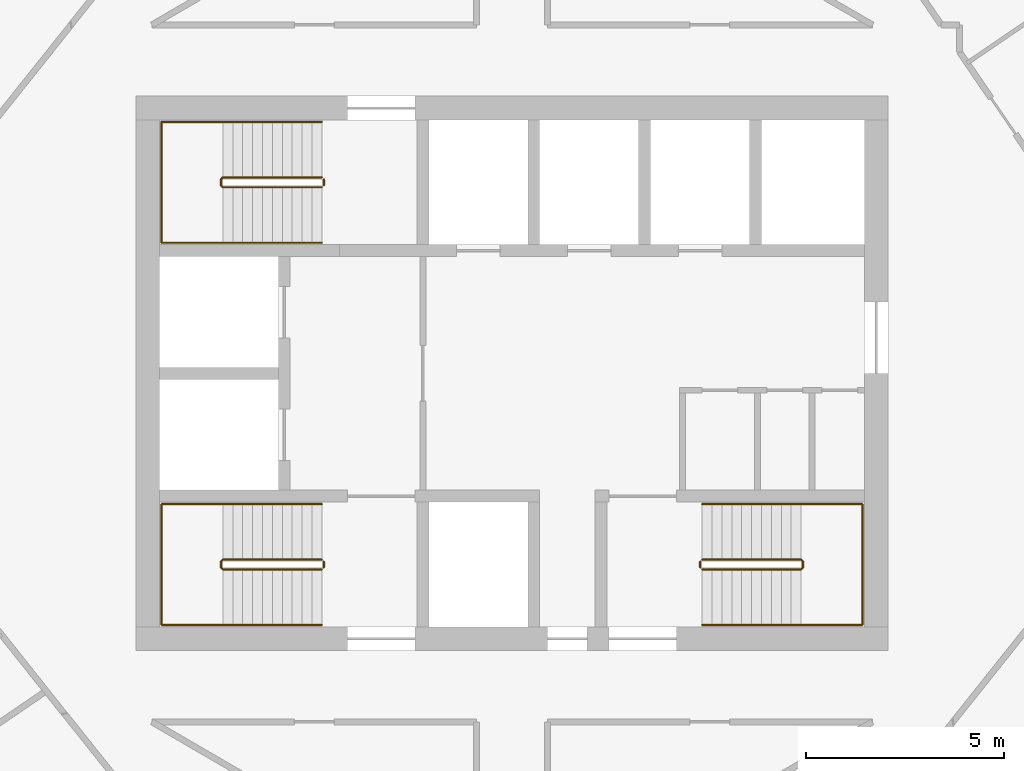
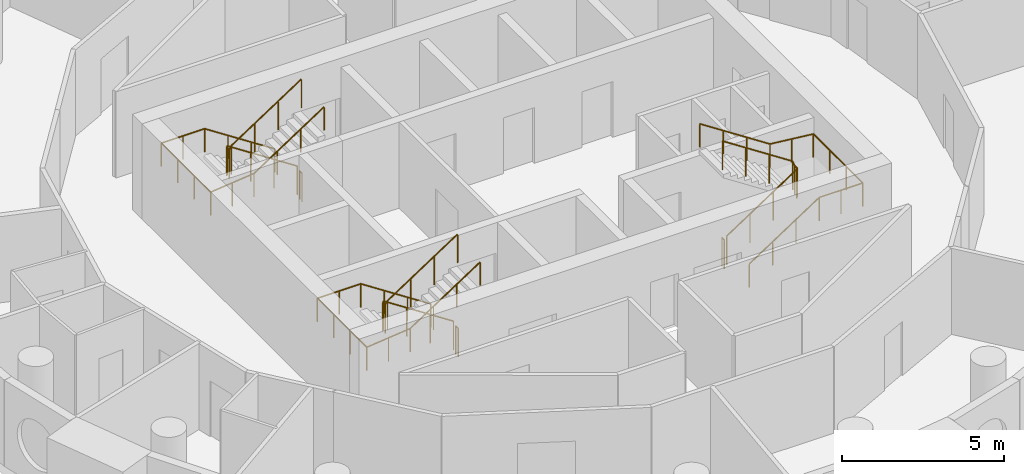
# One storey, part 11 of 11: 9 railings.
"""IFC4 building model written with IfcOpenShell, lengths in metres."""

from ifc_helpers import new_model, si_unit, direction, frame, origin, origin_2d, place, context, subcontext, project, spatial, circle, extrude, material, type_object, element, save


model = new_model("IFC4")

# Units and contexts
model_context = context("Model", 3, precision=1e-05, world=origin(), true_north=direction((0.0, 1.0)))
body_context = subcontext(model_context, "Body", "Model", "MODEL_VIEW")
ifc_project = project(units=[si_unit("LENGTHUNIT", "METRE"), si_unit("AREAUNIT", "SQUARE_METRE"), si_unit("VOLUMEUNIT", "CUBIC_METRE"), si_unit("PLANEANGLEUNIT", "RADIAN"), si_unit("MASSUNIT", "GRAM", prefix="KILO")], contexts=[model_context])

# Site, building, storey
site_placement = place(None, origin())
site = spatial("IfcSite", under=ifc_project, at=site_placement, CompositionType="ELEMENT")
building_placement = place(site_placement, origin())
building = spatial("IfcBuilding", under=site, at=building_placement, Name="Tracery Tower", CompositionType="ELEMENT")
storey_placement = place(building_placement, frame((0.0, 0.0, 238.199951171875)))
storey = spatial("IfcBuildingStorey", under=building, at=storey_placement, Name="L61", CompositionType="ELEMENT", Elevation=238.199951171875)

# Railings
ifc_material_1 = material(Name="Stainless steel and laminated glass", Category="steel")
railing_type_1 = type_object("IfcRailingType", Name="Stair guard 1100", PredefinedType="GUARDRAIL", material=ifc_material_1)
railing_1_placement = place(storey_placement, frame((-4.800048828125, -4.699951171875, 0.16357421875)))
element("IfcRailing", 1, at=railing_1_placement, inside=storey, type_object=railing_type_1, Name="L61 stair ST1 guard 1", PredefinedType="GUARDRAIL", context=body_context, shape_type="SweptSolid", body=[
    extrude(circle(Radius=0.02392578125, at=origin_2d()), frame((0.0, 0.0, 1.076171875), z_axis=(-0.83668449804, 0.0, 0.54768517484), x_axis=(0.0, -1.0, 0.0)), (0.0, 0.0, 1.0), 2.988037109375),
    extrude(circle(Radius=0.02392578125, at=origin_2d()), frame((-2.5, 0.0, 2.71240234375), z_axis=(-0.707106781187, -0.707106781187, 0.0), x_axis=(0.707106781187, -0.707106781187, 0.0)), (0.0, 0.0, 1.0), 0.07080078125),
    extrude(circle(Radius=0.02392578125, at=origin_2d()), frame((-2.550048828125, -0.050048828125, 2.71240234375), z_axis=(0.0, -1.0, 0.0), x_axis=(1.0, 0.0, 0.0)), (0.0, 0.0, 1.0), 0.14990234375),
    extrude(circle(Radius=0.02392578125, at=origin_2d()), frame((-2.550048828125, -0.199951171875, 2.71240234375), z_axis=(0.280808744504, -0.280808744504, 0.917765164963), x_axis=(0.707106781187, 0.707106781187, 0.0)), (0.0, 0.0, 1.0), 0.17822265625),
    extrude(circle(Radius=0.02392578125, at=origin_2d()), frame((-2.5, -0.25, 2.8759765625), z_axis=(0.83668449804, 0.0, 0.54768517484), x_axis=(0.0, 1.0, 0.0)), (0.0, 0.0, 1.0), 2.988037109375),
    extrude(circle(Radius=0.02099609375, at=origin_2d()), origin(), (0.0, 0.0, 1.0), 1.052001953125),
    extrude(circle(Radius=0.02099609375, at=origin_2d()), frame((-0.833251953125, 0.0, 0.54541015625)), (0.0, 0.0, 1.0), 1.052001953125),
    extrude(circle(Radius=0.02099609375, at=origin_2d()), frame((-1.666748046875, 0.0, 1.091064453125)), (0.0, 0.0, 1.0), 1.052001953125),
    extrude(circle(Radius=0.02099609375, at=origin_2d()), frame((-2.5, 0.0, 1.636474609375)), (0.0, 0.0, 1.0), 1.052001953125),
    extrude(circle(Radius=0.02099609375, at=origin_2d()), frame((-2.550048828125, -0.050048828125, 1.636474609375)), (0.0, 0.0, 1.0), 1.052001953125),
    extrude(circle(Radius=0.02099609375, at=origin_2d()), frame((-2.550048828125, -0.199951171875, 1.636474609375)), (0.0, 0.0, 1.0), 1.052001953125),
    extrude(circle(Radius=0.02099609375, at=origin_2d()), frame((-2.5, -0.25, 1.800048828125)), (0.0, 0.0, 1.0), 1.052001953125),
    extrude(circle(Radius=0.02099609375, at=origin_2d()), frame((-1.666748046875, -0.25, 2.345458984375)), (0.0, 0.0, 1.0), 1.052001953125),
    extrude(circle(Radius=0.02099609375, at=origin_2d()), frame((-0.833251953125, -0.25, 2.89111328125)), (0.0, 0.0, 1.0), 1.052001953125),
    extrude(circle(Radius=0.02099609375, at=origin_2d()), frame((0.0, -0.25, 3.4365234375)), (0.0, 0.0, 1.0), 1.052001953125),
])
railing_2_placement = place(storey_placement, frame((-4.75, -4.75, 0.0)))
element("IfcRailing", 2, at=railing_2_placement, inside=storey, type_object=railing_type_1, Name="L61 stair ST1 guard 2", PredefinedType="GUARDRAIL", context=body_context, shape_type="SweptSolid", body=[
    extrude(circle(Radius=0.02392578125, at=origin_2d()), frame((0.0, 0.0, 1.076171875), z_axis=(0.0, -1.0, 0.0), x_axis=(1.0, 0.0, 0.0)), (0.0, 0.0, 1.0), 0.14990234375),
    extrude(circle(Radius=0.02099609375, at=origin_2d()), origin(), (0.0, 0.0, 1.0), 1.052001953125),
    extrude(circle(Radius=0.02099609375, at=origin_2d()), frame((0.0, -0.14990234375, 0.0)), (0.0, 0.0, 1.0), 1.052001953125),
])
railing_3_placement = place(storey_placement, frame((-4.800048828125, 4.949951171875, 0.16357421875)))
element("IfcRailing", 3, at=railing_3_placement, inside=storey, type_object=railing_type_1, Name="L61 stair ST3 guard 1", PredefinedType="GUARDRAIL", context=body_context, shape_type="SweptSolid", body=[
    extrude(circle(Radius=0.02392578125, at=origin_2d()), frame((0.0, 0.0, 1.076171875), z_axis=(-0.83668449804, 0.0, 0.54768517484), x_axis=(0.0, -1.0, 0.0)), (0.0, 0.0, 1.0), 2.988037109375),
    extrude(circle(Radius=0.02392578125, at=origin_2d()), frame((-2.5, 0.0, 2.71240234375), z_axis=(-0.707106781187, -0.707106781187, 0.0), x_axis=(0.707106781187, -0.707106781187, 0.0)), (0.0, 0.0, 1.0), 0.07080078125),
    extrude(circle(Radius=0.02392578125, at=origin_2d()), frame((-2.550048828125, -0.050048828125, 2.71240234375), z_axis=(0.0, -1.0, 0.0), x_axis=(1.0, 0.0, 0.0)), (0.0, 0.0, 1.0), 0.14990234375),
    extrude(circle(Radius=0.02392578125, at=origin_2d()), frame((-2.550048828125, -0.199951171875, 2.71240234375), z_axis=(0.280808744504, -0.280808744504, 0.917765164963), x_axis=(0.707106781187, 0.707106781187, 0.0)), (0.0, 0.0, 1.0), 0.17822265625),
    extrude(circle(Radius=0.02392578125, at=origin_2d()), frame((-2.5, -0.25, 2.8759765625), z_axis=(0.83668449804, 0.0, 0.54768517484), x_axis=(0.0, 1.0, 0.0)), (0.0, 0.0, 1.0), 2.988037109375),
    extrude(circle(Radius=0.02099609375, at=origin_2d()), origin(), (0.0, 0.0, 1.0), 1.052001953125),
    extrude(circle(Radius=0.02099609375, at=origin_2d()), frame((-0.833251953125, 0.0, 0.54541015625)), (0.0, 0.0, 1.0), 1.052001953125),
    extrude(circle(Radius=0.02099609375, at=origin_2d()), frame((-1.666748046875, 0.0, 1.091064453125)), (0.0, 0.0, 1.0), 1.052001953125),
    extrude(circle(Radius=0.02099609375, at=origin_2d()), frame((-2.5, 0.0, 1.636474609375)), (0.0, 0.0, 1.0), 1.052001953125),
    extrude(circle(Radius=0.02099609375, at=origin_2d()), frame((-2.550048828125, -0.050048828125, 1.636474609375)), (0.0, 0.0, 1.0), 1.052001953125),
    extrude(circle(Radius=0.02099609375, at=origin_2d()), frame((-2.550048828125, -0.199951171875, 1.636474609375)), (0.0, 0.0, 1.0), 1.052001953125),
    extrude(circle(Radius=0.02099609375, at=origin_2d()), frame((-2.5, -0.25, 1.800048828125)), (0.0, 0.0, 1.0), 1.052001953125),
    extrude(circle(Radius=0.02099609375, at=origin_2d()), frame((-1.666748046875, -0.25, 2.345458984375)), (0.0, 0.0, 1.0), 1.052001953125),
    extrude(circle(Radius=0.02099609375, at=origin_2d()), frame((-0.833251953125, -0.25, 2.89111328125)), (0.0, 0.0, 1.0), 1.052001953125),
    extrude(circle(Radius=0.02099609375, at=origin_2d()), frame((0.0, -0.25, 3.4365234375)), (0.0, 0.0, 1.0), 1.052001953125),
])
railing_4_placement = place(storey_placement, frame((-4.75, 4.89990234375, 0.0)))
element("IfcRailing", 4, at=railing_4_placement, inside=storey, type_object=railing_type_1, Name="L61 stair ST3 guard 2", PredefinedType="GUARDRAIL", context=body_context, shape_type="SweptSolid", body=[
    extrude(circle(Radius=0.02392578125, at=origin_2d()), frame((0.0, 0.0, 1.076171875), z_axis=(0.0, -1.0, 0.0), x_axis=(1.0, 0.0, 0.0)), (0.0, 0.0, 1.0), 0.14990234375),
    extrude(circle(Radius=0.02099609375, at=origin_2d()), origin(), (0.0, 0.0, 1.0), 1.052001953125),
    extrude(circle(Radius=0.02099609375, at=origin_2d()), frame((0.0, -0.14990234375, 0.0)), (0.0, 0.0, 1.0), 1.052001953125),
])
railing_5_placement = place(storey_placement, frame((4.800048828125, -4.949951171875, 0.16357421875)))
element("IfcRailing", 5, at=railing_5_placement, inside=storey, type_object=railing_type_1, Name="L61 stair ST2 guard 1", PredefinedType="GUARDRAIL", context=body_context, shape_type="SweptSolid", body=[
    extrude(circle(Radius=0.02392578125, at=origin_2d()), frame((0.0, 0.0, 1.076171875), z_axis=(0.83668449804, 0.0, 0.54768517484), x_axis=(0.0, 1.0, 0.0)), (0.0, 0.0, 1.0), 2.988037109375),
    extrude(circle(Radius=0.02392578125, at=origin_2d()), frame((2.5, 0.0, 2.71240234375), z_axis=(0.707106781187, 0.707106781187, 0.0), x_axis=(-0.707106781187, 0.707106781187, 0.0)), (0.0, 0.0, 1.0), 0.07080078125),
    extrude(circle(Radius=0.02392578125, at=origin_2d()), frame((2.550048828125, 0.050048828125, 2.71240234375), z_axis=(0.0, 1.0, 0.0), x_axis=(-1.0, 0.0, 0.0)), (0.0, 0.0, 1.0), 0.14990234375),
    extrude(circle(Radius=0.02392578125, at=origin_2d()), frame((2.550048828125, 0.199951171875, 2.71240234375), z_axis=(-0.280808744504, 0.280808744504, 0.917765164963), x_axis=(-0.707106781187, -0.707106781187, 0.0)), (0.0, 0.0, 1.0), 0.17822265625),
    extrude(circle(Radius=0.02392578125, at=origin_2d()), frame((2.5, 0.25, 2.8759765625), z_axis=(-0.83668449804, 0.0, 0.54768517484), x_axis=(0.0, -1.0, 0.0)), (0.0, 0.0, 1.0), 2.988037109375),
    extrude(circle(Radius=0.02099609375, at=origin_2d()), origin(), (0.0, 0.0, 1.0), 1.052001953125),
    extrude(circle(Radius=0.02099609375, at=origin_2d()), frame((0.833251953125, 0.0, 0.54541015625)), (0.0, 0.0, 1.0), 1.052001953125),
    extrude(circle(Radius=0.02099609375, at=origin_2d()), frame((1.666748046875, 0.0, 1.091064453125)), (0.0, 0.0, 1.0), 1.052001953125),
    extrude(circle(Radius=0.02099609375, at=origin_2d()), frame((2.5, 0.0, 1.636474609375)), (0.0, 0.0, 1.0), 1.052001953125),
    extrude(circle(Radius=0.02099609375, at=origin_2d()), frame((2.550048828125, 0.050048828125, 1.636474609375)), (0.0, 0.0, 1.0), 1.052001953125),
    extrude(circle(Radius=0.02099609375, at=origin_2d()), frame((2.550048828125, 0.199951171875, 1.636474609375)), (0.0, 0.0, 1.0), 1.052001953125),
    extrude(circle(Radius=0.02099609375, at=origin_2d()), frame((2.5, 0.25, 1.800048828125)), (0.0, 0.0, 1.0), 1.052001953125),
    extrude(circle(Radius=0.02099609375, at=origin_2d()), frame((1.666748046875, 0.25, 2.345458984375)), (0.0, 0.0, 1.0), 1.052001953125),
    extrude(circle(Radius=0.02099609375, at=origin_2d()), frame((0.833251953125, 0.25, 2.89111328125)), (0.0, 0.0, 1.0), 1.052001953125),
    extrude(circle(Radius=0.02099609375, at=origin_2d()), frame((0.0, 0.25, 3.4365234375)), (0.0, 0.0, 1.0), 1.052001953125),
])
railing_6_placement = place(storey_placement, frame((4.75, -4.89990234375, 0.0)))
element("IfcRailing", 6, at=railing_6_placement, inside=storey, type_object=railing_type_1, Name="L61 stair ST2 guard 2", PredefinedType="GUARDRAIL", context=body_context, shape_type="SweptSolid", body=[
    extrude(circle(Radius=0.02392578125, at=origin_2d()), frame((0.0, 0.0, 1.076171875), z_axis=(0.0, 1.0, 0.0), x_axis=(-1.0, 0.0, 0.0)), (0.0, 0.0, 1.0), 0.14990234375),
    extrude(circle(Radius=0.02099609375, at=origin_2d()), origin(), (0.0, 0.0, 1.0), 1.052001953125),
    extrude(circle(Radius=0.02099609375, at=origin_2d()), frame((0.0, 0.14990234375, 0.0)), (0.0, 0.0, 1.0), 1.052001953125),
])
ifc_material_2 = material(Name="Stainless steel and laminated glass", Category="steel")
railing_type_2 = type_object("IfcRailingType", Name="Stair handrail 900", PredefinedType="HANDRAIL", material=ifc_material_2)
railing_7_placement = place(storey_placement, frame((-4.800048828125, -3.300048828125, 0.16357421875)))
element("IfcRailing", 7, at=railing_7_placement, inside=storey, type_object=railing_type_2, Name="L61 stair ST1 handrail 1", PredefinedType="HANDRAIL", context=body_context, shape_type="SweptSolid", body=[
    extrude(circle(Radius=0.02392578125, at=origin_2d()), frame((0.0, 0.0, 0.8759765625), z_axis=(-0.83668449804, 0.0, 0.54768517484), x_axis=(0.0, -1.0, 0.0)), (0.0, 0.0, 1.0), 2.988037109375),
    extrude(circle(Radius=0.02392578125, at=origin_2d()), frame((-2.5, 0.0, 2.51220703125), z_axis=(-1.0, 0.0, 0.0), x_axis=(0.0, -1.0, 0.0)), (0.0, 0.0, 1.0), 1.550048828125),
    extrude(circle(Radius=0.02392578125, at=origin_2d()), frame((-4.050048828125, 0.0, 2.51220703125), z_axis=(0.0, -1.0, 0.0), x_axis=(1.0, 0.0, 0.0)), (0.0, 0.0, 1.0), 3.050048828125),
    extrude(circle(Radius=0.02392578125, at=origin_2d()), frame((-4.050048828125, -3.050048828125, 2.51220703125), z_axis=(0.994477953863, 0.0, 0.104945696817), x_axis=(0.0, 1.0, 0.0)), (0.0, 0.0, 1.0), 1.55859375),
    extrude(circle(Radius=0.02392578125, at=origin_2d()), frame((-2.5, -3.050048828125, 2.67578125), z_axis=(0.83668449804, 0.0, 0.54768517484), x_axis=(0.0, 1.0, 0.0)), (0.0, 0.0, 1.0), 2.988037109375),
    extrude(circle(Radius=0.02099609375, at=origin_2d()), origin(), (0.0, 0.0, 1.0), 0.851806640625),
    extrude(circle(Radius=0.02099609375, at=origin_2d()), frame((-0.833251953125, 0.0, 0.54541015625)), (0.0, 0.0, 1.0), 0.851806640625),
    extrude(circle(Radius=0.02099609375, at=origin_2d()), frame((-1.666748046875, 0.0, 1.091064453125)), (0.0, 0.0, 1.0), 0.851806640625),
    extrude(circle(Radius=0.02099609375, at=origin_2d()), frame((-2.5, 0.0, 1.636474609375)), (0.0, 0.0, 1.0), 0.851806640625),
    extrude(circle(Radius=0.02099609375, at=origin_2d()), frame((-3.27490234375, 0.0, 1.636474609375)), (0.0, 0.0, 1.0), 0.851806640625),
    extrude(circle(Radius=0.02099609375, at=origin_2d()), frame((-4.050048828125, 0.0, 1.636474609375)), (0.0, 0.0, 1.0), 0.851806640625),
    extrude(circle(Radius=0.02099609375, at=origin_2d()), frame((-4.050048828125, -1.0166015625, 1.636474609375)), (0.0, 0.0, 1.0), 0.851806640625),
    extrude(circle(Radius=0.02099609375, at=origin_2d()), frame((-4.050048828125, -2.033447265625, 1.636474609375)), (0.0, 0.0, 1.0), 0.851806640625),
    extrude(circle(Radius=0.02099609375, at=origin_2d()), frame((-4.050048828125, -3.050048828125, 1.636474609375)), (0.0, 0.0, 1.0), 0.851806640625),
    extrude(circle(Radius=0.02099609375, at=origin_2d()), frame((-3.27490234375, -3.050048828125, 1.71826171875)), (0.0, 0.0, 1.0), 0.851806640625),
    extrude(circle(Radius=0.02099609375, at=origin_2d()), frame((-2.5, -3.050048828125, 1.800048828125)), (0.0, 0.0, 1.0), 0.851806640625),
    extrude(circle(Radius=0.02099609375, at=origin_2d()), frame((-1.666748046875, -3.050048828125, 2.345458984375)), (0.0, 0.0, 1.0), 0.851806640625),
    extrude(circle(Radius=0.02099609375, at=origin_2d()), frame((-0.833251953125, -3.050048828125, 2.89111328125)), (0.0, 0.0, 1.0), 0.851806640625),
    extrude(circle(Radius=0.02099609375, at=origin_2d()), frame((0.0, -3.050048828125, 3.4365234375)), (0.0, 0.0, 1.0), 0.851806640625),
])
railing_8_placement = place(storey_placement, frame((-4.800048828125, 6.35009765625, 0.16357421875)))
element("IfcRailing", 8, at=railing_8_placement, inside=storey, type_object=railing_type_2, Name="L61 stair ST3 handrail 1", PredefinedType="HANDRAIL", context=body_context, shape_type="SweptSolid", body=[
    extrude(circle(Radius=0.02392578125, at=origin_2d()), frame((0.0, 0.0, 0.8759765625), z_axis=(-0.83668449804, 0.0, 0.54768517484), x_axis=(0.0, -1.0, 0.0)), (0.0, 0.0, 1.0), 2.988037109375),
    extrude(circle(Radius=0.02392578125, at=origin_2d()), frame((-2.5, 0.0, 2.51220703125), z_axis=(-1.0, 0.0, 0.0), x_axis=(0.0, -1.0, 0.0)), (0.0, 0.0, 1.0), 1.550048828125),
    extrude(circle(Radius=0.02392578125, at=origin_2d()), frame((-4.050048828125, 0.0, 2.51220703125), z_axis=(0.0, -1.0, 0.0), x_axis=(1.0, 0.0, 0.0)), (0.0, 0.0, 1.0), 3.050048828125),
    extrude(circle(Radius=0.02392578125, at=origin_2d()), frame((-4.050048828125, -3.050048828125, 2.51220703125), z_axis=(0.994477953863, 0.0, 0.104945696817), x_axis=(0.0, 1.0, 0.0)), (0.0, 0.0, 1.0), 1.55859375),
    extrude(circle(Radius=0.02392578125, at=origin_2d()), frame((-2.5, -3.050048828125, 2.67578125), z_axis=(0.83668449804, 0.0, 0.54768517484), x_axis=(0.0, 1.0, 0.0)), (0.0, 0.0, 1.0), 2.988037109375),
    extrude(circle(Radius=0.02099609375, at=origin_2d()), origin(), (0.0, 0.0, 1.0), 0.851806640625),
    extrude(circle(Radius=0.02099609375, at=origin_2d()), frame((-0.833251953125, 0.0, 0.54541015625)), (0.0, 0.0, 1.0), 0.851806640625),
    extrude(circle(Radius=0.02099609375, at=origin_2d()), frame((-1.666748046875, 0.0, 1.091064453125)), (0.0, 0.0, 1.0), 0.851806640625),
    extrude(circle(Radius=0.02099609375, at=origin_2d()), frame((-2.5, 0.0, 1.636474609375)), (0.0, 0.0, 1.0), 0.851806640625),
    extrude(circle(Radius=0.02099609375, at=origin_2d()), frame((-3.27490234375, 0.0, 1.636474609375)), (0.0, 0.0, 1.0), 0.851806640625),
    extrude(circle(Radius=0.02099609375, at=origin_2d()), frame((-4.050048828125, 0.0, 1.636474609375)), (0.0, 0.0, 1.0), 0.851806640625),
    extrude(circle(Radius=0.02099609375, at=origin_2d()), frame((-4.050048828125, -1.0166015625, 1.636474609375)), (0.0, 0.0, 1.0), 0.851806640625),
    extrude(circle(Radius=0.02099609375, at=origin_2d()), frame((-4.050048828125, -2.033447265625, 1.636474609375)), (0.0, 0.0, 1.0), 0.851806640625),
    extrude(circle(Radius=0.02099609375, at=origin_2d()), frame((-4.050048828125, -3.050048828125, 1.636474609375)), (0.0, 0.0, 1.0), 0.851806640625),
    extrude(circle(Radius=0.02099609375, at=origin_2d()), frame((-3.27490234375, -3.050048828125, 1.71826171875)), (0.0, 0.0, 1.0), 0.851806640625),
    extrude(circle(Radius=0.02099609375, at=origin_2d()), frame((-2.5, -3.050048828125, 1.800048828125)), (0.0, 0.0, 1.0), 0.851806640625),
    extrude(circle(Radius=0.02099609375, at=origin_2d()), frame((-1.666748046875, -3.050048828125, 2.345458984375)), (0.0, 0.0, 1.0), 0.851806640625),
    extrude(circle(Radius=0.02099609375, at=origin_2d()), frame((-0.833251953125, -3.050048828125, 2.89111328125)), (0.0, 0.0, 1.0), 0.851806640625),
    extrude(circle(Radius=0.02099609375, at=origin_2d()), frame((0.0, -3.050048828125, 3.4365234375)), (0.0, 0.0, 1.0), 0.851806640625),
])
railing_9_placement = place(storey_placement, frame((4.800048828125, -6.35009765625, 0.16357421875)))
element("IfcRailing", 9, at=railing_9_placement, inside=storey, type_object=railing_type_2, Name="L61 stair ST2 handrail 1", PredefinedType="HANDRAIL", context=body_context, shape_type="SweptSolid", body=[
    extrude(circle(Radius=0.02392578125, at=origin_2d()), frame((0.0, 0.0, 0.8759765625), z_axis=(0.83668449804, 0.0, 0.54768517484), x_axis=(0.0, 1.0, 0.0)), (0.0, 0.0, 1.0), 2.988037109375),
    extrude(circle(Radius=0.02392578125, at=origin_2d()), frame((2.5, 0.0, 2.51220703125), z_axis=(1.0, 0.0, 0.0), x_axis=(0.0, 1.0, 0.0)), (0.0, 0.0, 1.0), 1.550048828125),
    extrude(circle(Radius=0.02392578125, at=origin_2d()), frame((4.050048828125, 0.0, 2.51220703125), z_axis=(0.0, 1.0, 0.0), x_axis=(-1.0, 0.0, 0.0)), (0.0, 0.0, 1.0), 3.050048828125),
    extrude(circle(Radius=0.02392578125, at=origin_2d()), frame((4.050048828125, 3.050048828125, 2.51220703125), z_axis=(-0.994477953863, 0.0, 0.104945696817), x_axis=(0.0, -1.0, 0.0)), (0.0, 0.0, 1.0), 1.55859375),
    extrude(circle(Radius=0.02392578125, at=origin_2d()), frame((2.5, 3.050048828125, 2.67578125), z_axis=(-0.83668449804, 0.0, 0.54768517484), x_axis=(0.0, -1.0, 0.0)), (0.0, 0.0, 1.0), 2.988037109375),
    extrude(circle(Radius=0.02099609375, at=origin_2d()), origin(), (0.0, 0.0, 1.0), 0.851806640625),
    extrude(circle(Radius=0.02099609375, at=origin_2d()), frame((0.833251953125, 0.0, 0.54541015625)), (0.0, 0.0, 1.0), 0.851806640625),
    extrude(circle(Radius=0.02099609375, at=origin_2d()), frame((1.666748046875, 0.0, 1.091064453125)), (0.0, 0.0, 1.0), 0.851806640625),
    extrude(circle(Radius=0.02099609375, at=origin_2d()), frame((2.5, 0.0, 1.636474609375)), (0.0, 0.0, 1.0), 0.851806640625),
    extrude(circle(Radius=0.02099609375, at=origin_2d()), frame((3.27490234375, 0.0, 1.636474609375)), (0.0, 0.0, 1.0), 0.851806640625),
    extrude(circle(Radius=0.02099609375, at=origin_2d()), frame((4.050048828125, 0.0, 1.636474609375)), (0.0, 0.0, 1.0), 0.851806640625),
    extrude(circle(Radius=0.02099609375, at=origin_2d()), frame((4.050048828125, 1.0166015625, 1.636474609375)), (0.0, 0.0, 1.0), 0.851806640625),
    extrude(circle(Radius=0.02099609375, at=origin_2d()), frame((4.050048828125, 2.033447265625, 1.636474609375)), (0.0, 0.0, 1.0), 0.851806640625),
    extrude(circle(Radius=0.02099609375, at=origin_2d()), frame((4.050048828125, 3.050048828125, 1.636474609375)), (0.0, 0.0, 1.0), 0.851806640625),
    extrude(circle(Radius=0.02099609375, at=origin_2d()), frame((3.27490234375, 3.050048828125, 1.71826171875)), (0.0, 0.0, 1.0), 0.851806640625),
    extrude(circle(Radius=0.02099609375, at=origin_2d()), frame((2.5, 3.050048828125, 1.800048828125)), (0.0, 0.0, 1.0), 0.851806640625),
    extrude(circle(Radius=0.02099609375, at=origin_2d()), frame((1.666748046875, 3.050048828125, 2.345458984375)), (0.0, 0.0, 1.0), 0.851806640625),
    extrude(circle(Radius=0.02099609375, at=origin_2d()), frame((0.833251953125, 3.050048828125, 2.89111328125)), (0.0, 0.0, 1.0), 0.851806640625),
    extrude(circle(Radius=0.02099609375, at=origin_2d()), frame((0.0, 3.050048828125, 3.4365234375)), (0.0, 0.0, 1.0), 0.851806640625),
])

save(model, "model.ifc")
